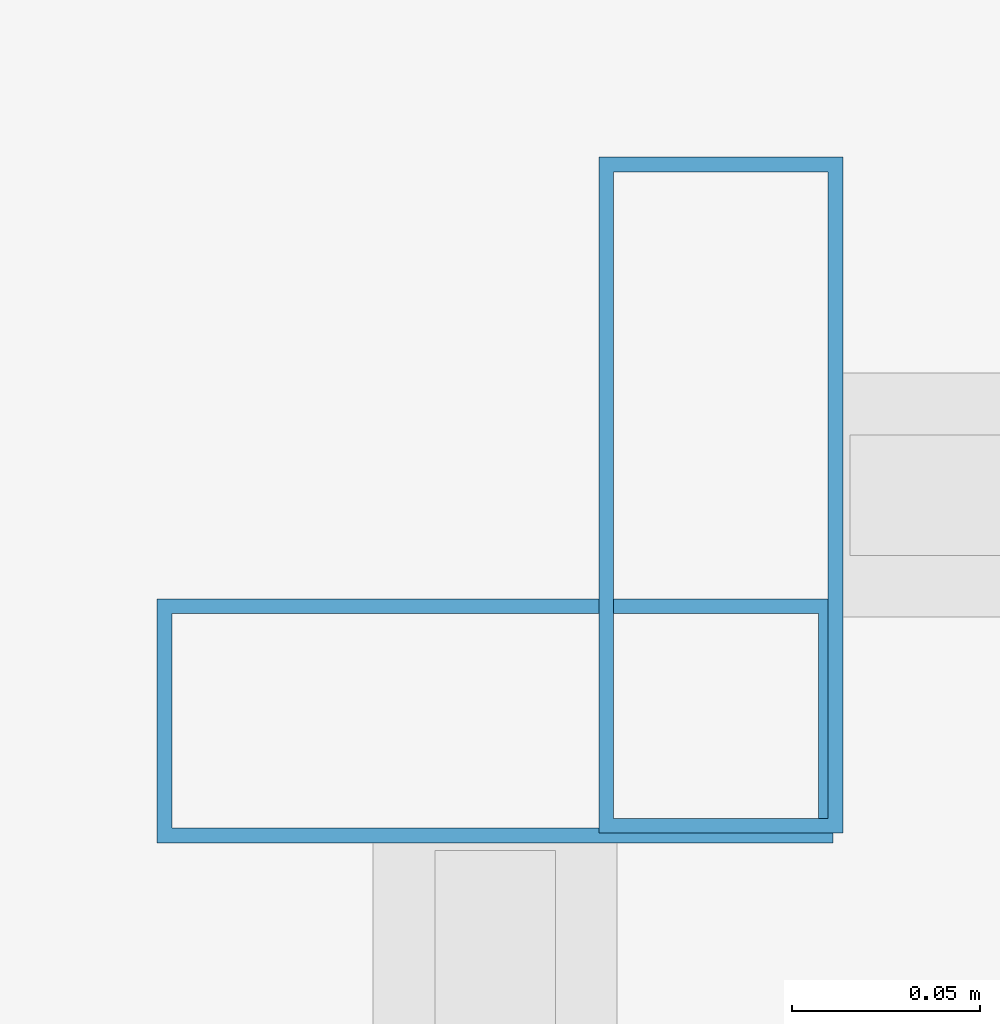
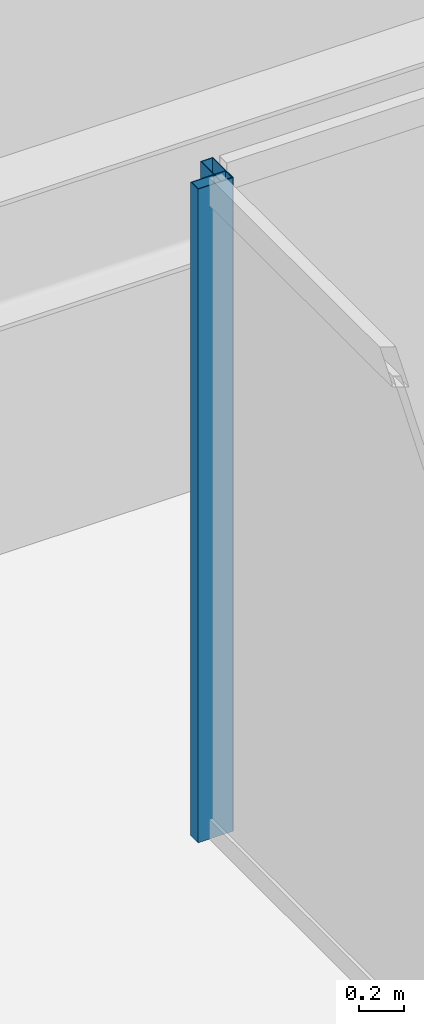
# One storey, part 13 of 35: 2 members, 2 elements without a shape of their own.
"""IFC4 building model written with IfcOpenShell, lengths in metres."""

from ifc_helpers import new_model, si_unit, direction, frame, origin, origin_2d, place, context, subcontext, project, spatial, hollow_rectangle, extrude, material, material_profile, profile_set, type_object, element, aggregate, save


model = new_model("IFC4")

# Units and contexts
model_context = context("Model", 3, precision=1e-05, world=origin(), true_north=direction((0.0, 1.0)))
body_context = subcontext(model_context, "Body", "Model", "MODEL_VIEW")
ifc_project = project(units=[si_unit("LENGTHUNIT", "METRE"), si_unit("AREAUNIT", "SQUARE_METRE"), si_unit("VOLUMEUNIT", "CUBIC_METRE"), si_unit("PLANEANGLEUNIT", "RADIAN"), si_unit("MASSUNIT", "GRAM", prefix="KILO")], contexts=[model_context])

# Site, building, storey
site_placement = place(None, origin())
site = spatial("IfcSite", under=ifc_project, at=site_placement, CompositionType="ELEMENT")
building_placement = place(site_placement, origin())
building = spatial("IfcBuilding", under=site, at=building_placement, Name="Saevonmaru Cultural Tower", CompositionType="ELEMENT")
storey_placement = place(building_placement, frame((0.0, 0.0, 213.199951171875)))
storey = spatial("IfcBuildingStorey", under=building, at=storey_placement, Name="L49", CompositionType="ELEMENT", Elevation=213.199951171875)

# Curtain wall, member
ifc_material = material(Name="Satin Bronze Anodised Aluminium", Category="aluminium")
curtain_wall_type = type_object("IfcCurtainWallType", Name="CW-ATR-GLZ", PredefinedType="NOTDEFINED", material=ifc_material)
curtain_wall_1_placement = place(storey_placement, origin())
curtain_wall_1 = element("IfcCurtainWall", 1, at=curtain_wall_1_placement, inside=storey, type_object=curtain_wall_type, Name="L49 Vertical Atrium Glazed Smoke Screen 3", PredefinedType="NOTDEFINED")
ifc_material_profile = material_profile(ifc_material, hollow_rectangle(XDim=0.06494140625, YDim=0.179931640625, WallThickness=0.00390625, at=origin_2d()), Name="ALU-MULL-180x65x4")
ifc_profile_set = profile_set([ifc_material_profile], Name="Satin Bronze Anodised Aluminium")
member_type = type_object("IfcMemberType", Name="ML-CW-INT-180x65", PredefinedType="MULLION", material=ifc_profile_set)
member_1_placement = place(storey_placement, frame((24.110107421875, 36.590087890625, 0.0), z_axis=(0.0, 0.0, 1.0), x_axis=(-1.0, 0.0, 0.0)))
member_1 = element("IfcMember", 2, at=member_1_placement, type_object=member_type, Name="CW-ATR-L49-3 mullion 2", PredefinedType="MULLION", context=body_context, shape_type="SweptSolid", body=[
    extrude(hollow_rectangle(XDim=0.06494140625, YDim=0.179931640625, WallThickness=0.00390625, at=origin_2d()), origin(), (0.0, 0.0, 1.0), 3.550048828125),
])
aggregate(curtain_wall_1, [member_1])

curtain_wall_2_placement = place(storey_placement, origin())
curtain_wall_2 = element("IfcCurtainWall", 3, at=curtain_wall_2_placement, inside=storey, type_object=curtain_wall_type, Name="L49 Vertical Atrium Glazed Smoke Screen 4", PredefinedType="NOTDEFINED")
member_2_placement = place(storey_placement, frame((24.050048828125, 36.530029296875, 0.0), z_axis=(0.0, 0.0, 1.0), x_axis=(0.0, -1.0, 0.0)))
member_2 = element("IfcMember", 4, at=member_2_placement, type_object=member_type, Name="CW-ATR-L49-4 mullion 1", PredefinedType="MULLION", context=body_context, shape_type="SweptSolid", body=[
    extrude(hollow_rectangle(XDim=0.06494140625, YDim=0.179931640625, WallThickness=0.00390625, at=origin_2d()), origin(), (0.0, 0.0, 1.0), 3.550048828125),
])
aggregate(curtain_wall_2, [member_2])

save(model, "model.ifc")
